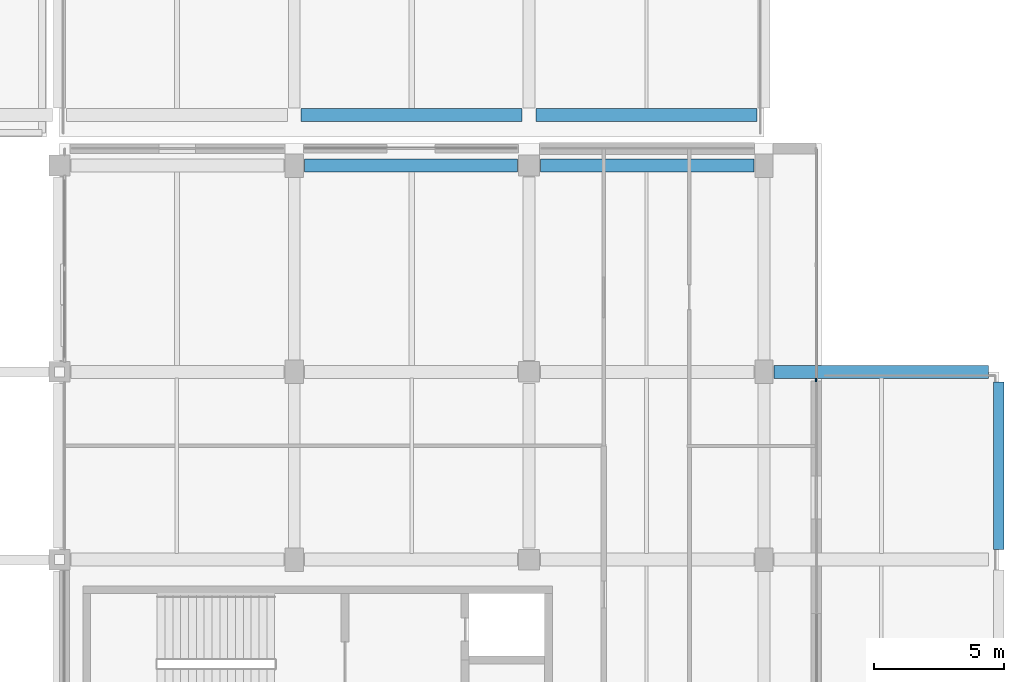
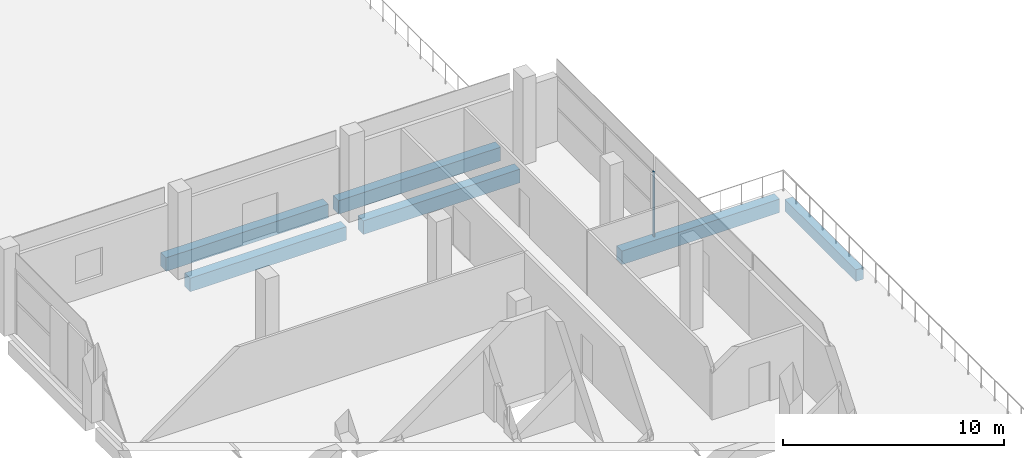
# One storey, part 33 of 82: 6 beams, 1 member, 1 element without a shape of its own.
"""IFC4 building model written with IfcOpenShell, lengths in metres."""

from ifc_helpers import new_model, si_unit, direction, frame, origin, origin_2d, place, context, subcontext, project, spatial, rectangle, extrude, material, material_profile, profile_set, type_object, element, aggregate, save


model = new_model("IFC4")

# Units and contexts
model_context = context("Model", 3, precision=1e-05, world=origin(), true_north=direction((0.0, 1.0)))
body_context = subcontext(model_context, "Body", "Model", "MODEL_VIEW")
ifc_project = project(units=[si_unit("LENGTHUNIT", "METRE"), si_unit("AREAUNIT", "SQUARE_METRE"), si_unit("VOLUMEUNIT", "CUBIC_METRE"), si_unit("PLANEANGLEUNIT", "RADIAN"), si_unit("MASSUNIT", "GRAM", prefix="KILO"), si_unit("THERMODYNAMICTEMPERATUREUNIT", "KELVIN"), si_unit("POWERUNIT", "WATT")], contexts=[model_context])

# Site, building, storey
site_placement = place(None, origin())
site = spatial("IfcSite", under=ifc_project, at=site_placement, CompositionType="ELEMENT")
building_placement = place(site_placement, origin())
building = spatial("IfcBuilding", under=site, at=building_placement, Name="Sindhuravela Promenade Stadium", CompositionType="ELEMENT")
storey_placement = place(building_placement, frame((0.0, 0.0, 14.39990234375)))
storey = spatial("IfcBuildingStorey", under=building, at=storey_placement, Name="L03", CompositionType="ELEMENT", Elevation=14.39990234375)

# Curtain wall, member
ifc_material_1 = material(Name="Anodised architectural aluminium 6063-T6", Category="aluminium")
curtain_wall_type = type_object("IfcCurtainWallType", Name="CW-MOD-8", PredefinedType="NOTDEFINED", material=ifc_material_1)
curtain_wall_placement = place(storey_placement, origin())
curtain_wall = element("IfcCurtainWall", 1, at=curtain_wall_placement, inside=storey, type_object=curtain_wall_type, Name="Bronze curtain wall CW-EAST-L03-127", PredefinedType="NOTDEFINED")
ifc_material_profile_1 = material_profile(ifc_material_1, rectangle(XDim=0.06494140625, YDim=0.14990234375, at=origin_2d()), Name="ALU MULL 65x150")
ifc_profile_set_1 = profile_set([ifc_material_profile_1], Name="Anodised architectural aluminium 6063-T6")
member_type = type_object("IfcMemberType", Name="CW-MUL-2", PredefinedType="MULLION", material=ifc_profile_set_1)
member_placement = place(storey_placement, frame((209.0, 116.68505859375, 0.0), z_axis=(0.0, 0.0, 1.0), x_axis=(1.0, 0.0, 0.0)))
member = element("IfcMember", 2, at=member_placement, type_object=member_type, Name="Curtain wall mullion CW-EAST-L03-127-M3", PredefinedType="MULLION", context=body_context, shape_type="SweptSolid", body=[
    extrude(rectangle(XDim=0.06494140625, YDim=0.14990234375, at=origin_2d()), origin(), (0.0, 0.0, 1.0), 3.580078125),
])
aggregate(curtain_wall, [member])

# Beams
ifc_material_2 = material(Name="Concrete M40", Category="concrete")
ifc_material_profile_2 = material_profile(ifc_material_2, rectangle(XDim=0.39990234375, YDim=0.64990234375, at=origin_2d()), Name="RC 400x650")
ifc_profile_set_2 = profile_set([ifc_material_profile_2], Name="Concrete M40")
beam_type_1 = type_object("IfcBeamType", Name="RC-BM-400x650", PredefinedType="SPANDREL", material=ifc_profile_set_2)
beam_1_placement = place(storey_placement, frame((216.0, 110.18994140625, -0.635009765625), z_axis=(0.0, 1.0, 0.0), x_axis=(-1.0, 0.0, 0.0)))
element("IfcBeam", 3, at=beam_1_placement, inside=storey, type_object=beam_type_1, Name="Primary beam SP01 EAST L03", PredefinedType="SPANDREL", context=body_context, shape_type="SweptSolid", body=[
    extrude(rectangle(XDim=0.39990234375, YDim=0.64990234375, at=origin_2d()), origin(), (0.0, 0.0, 1.0), 6.420166015625),
])
ifc_material_profile_3 = material_profile(ifc_material_2, rectangle(XDim=0.5, YDim=0.75, at=origin_2d()), Name="RC 500x750")
ifc_profile_set_3 = profile_set([ifc_material_profile_3], Name="Concrete M40")
beam_type_2 = type_object("IfcBeamType", Name="RC-BM-500x750", PredefinedType="BEAM", material=ifc_profile_set_3)
beam_2_placement = place(storey_placement, frame((207.389892578125, 117.0, -0.684814453125), z_axis=(1.0, 0.0, 0.0), x_axis=(0.0, 1.0, 0.0)))
element("IfcBeam", 4, at=beam_2_placement, inside=storey, type_object=beam_type_2, Name="Primary girder GB06 EAST L03", PredefinedType="BEAM", context=body_context, shape_type="SweptSolid", body=[
    extrude(rectangle(XDim=0.5, YDim=0.75, at=origin_2d()), origin(), (0.0, 0.0, 1.0), 8.22021484375),
])
for number, where, z_axis, x_axis, name in (
    (5, (189.389892578125, 124.89990234375, -0.6748046875), (1.0, 0.0, 0.0), (0.0, 1.0, 0.0), "Primary girder GB06 EAST L03"),
    (6, (198.43994140625, 124.89990234375, -0.6748046875), (1.0, 0.0, 0.0), (0.0, 1.0, 0.0), "Primary girder GB06 EAST L03"),
):
    element("IfcBeam", number, at=place(storey_placement, frame(where, z_axis=z_axis, x_axis=x_axis)), inside=storey, type_object=beam_type_2, Name=name, PredefinedType="BEAM", context=body_context, shape_type="SweptSolid", body=[
        extrude(rectangle(XDim=0.5, YDim=0.75, at=origin_2d()), origin(), (0.0, 0.0, 1.0), 8.170166015625),
    ])
for number, where, z_axis, x_axis, name in (
    (7, (189.264892578125, 126.85009765625, -0.684814453125), (1.0, 0.0, 0.0), (0.0, 1.0, 0.0), "Primary girder GB06 Pavilion NE L03"),
    (8, (198.264892578125, 126.85009765625, -0.684814453125), (1.0, 0.0, 0.0), (0.0, 1.0, 0.0), "Primary girder GB06 Pavilion NE L03"),
):
    element("IfcBeam", number, at=place(storey_placement, frame(where, z_axis=z_axis, x_axis=x_axis)), inside=storey, type_object=beam_type_2, Name=name, PredefinedType="BEAM", context=body_context, shape_type="SweptSolid", body=[
        extrude(rectangle(XDim=0.5, YDim=0.75, at=origin_2d()), origin(), (0.0, 0.0, 1.0), 8.47021484375),
    ])

save(model, "model.ifc")
